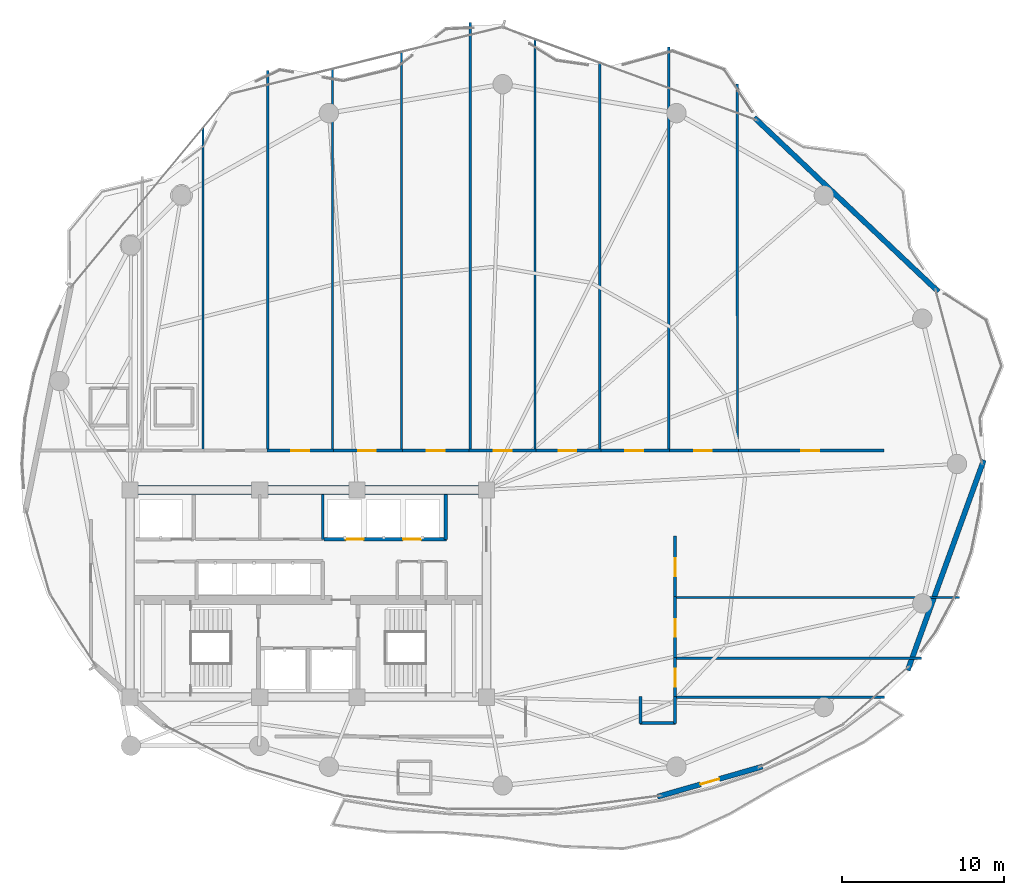
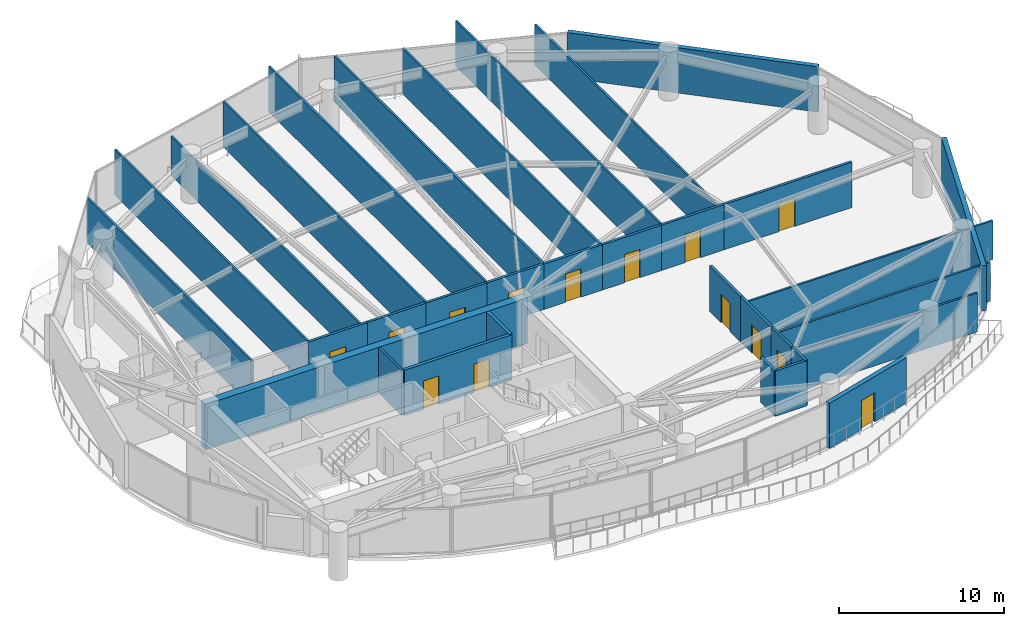
# One storey, part 24 of 28: 33 walls, 14 doors, 14 openings.
"""IFC4 building model written with IfcOpenShell, lengths in metres."""

from ifc_helpers import new_model, si_unit, direction, frame, frame_2d, origin, place, context, subcontext, project, spatial, rectangle, extrude, material, layer, layer_set, type_object, element, fill, save


model = new_model("IFC4")

# Units and contexts
model_context = context("Model", 3, precision=1e-05, world=origin(), true_north=direction((0.0, 1.0)))
body_context = subcontext(model_context, "Body", "Model", "MODEL_VIEW")
ifc_project = project(units=[si_unit("LENGTHUNIT", "METRE"), si_unit("AREAUNIT", "SQUARE_METRE"), si_unit("VOLUMEUNIT", "CUBIC_METRE"), si_unit("PLANEANGLEUNIT", "RADIAN"), si_unit("MASSUNIT", "GRAM", prefix="KILO")], contexts=[model_context])

# Site, building, storey
site_placement = place(None, origin())
site = spatial("IfcSite", under=ifc_project, at=site_placement, CompositionType="ELEMENT")
building_placement = place(site_placement, origin())
building = spatial("IfcBuilding", under=site, at=building_placement, Name="Kazevale Care Tower and Concert Hall", CompositionType="ELEMENT")
storey_placement = place(building_placement, frame((0.0, 0.0, 142.199951171875)))
storey = spatial("IfcBuildingStorey", under=building, at=storey_placement, Name="L37", CompositionType="ELEMENT", Elevation=142.199951171875)

# Walls
ifc_material_1 = material(Name="Acoustic Gypsum on Steel Stud", Category="steel")
ifc_layer_1 = layer(ifc_material_1, 0.139892578125)
ifc_layer_set_1 = layer_set([ifc_layer_1], Name="Acoustic Gypsum on Steel Stud")
wall_type_1 = type_object("IfcWallType", Name="Acoustic Care & Suite Partition 140", PredefinedType="PARTITIONING", material=ifc_layer_set_1)
wall_1_placement = place(storey_placement, frame((33.89990234375, 33.35009765625, 0.0), z_axis=(0.0, 0.0, 1.0), x_axis=(0.0, 1.0, 0.0)))
element("IfcWall", 1, at=wall_1_placement, inside=storey, type_object=wall_type_1, Name="wall:L37:c_rpl_e", PredefinedType="PARTITIONING", context=body_context, shape_type="SweptSolid", body=[
    extrude(rectangle(XDim=2.75, YDim=0.139892578125, at=frame_2d((1.375, 0.0))), origin(), (0.0, 0.0, 1.0), 3.360107421875),
])
wall_2_placement = place(storey_placement, frame((26.5, 58.74169921875, 0.0), z_axis=(0.0, 0.0, 1.0), x_axis=(0.0, -1.0, 0.0)))
element("IfcWall", 2, at=wall_2_placement, inside=storey, type_object=wall_type_1, Name="wall:L37:auto_022", PredefinedType="PARTITIONING", context=body_context, shape_type="SweptSolid", body=[
    extrude(rectangle(XDim=19.94677734375, YDim=0.139892578125, at=frame_2d((9.973388671875, 0.0))), origin(), (0.0, 0.0, 1.0), 3.360107421875),
])
wall_3_placement = place(storey_placement, frame((30.5, 62.300048828125, 0.0), z_axis=(0.0, 0.0, 1.0), x_axis=(0.0, -1.0, 0.0)))
element("IfcWall", 3, at=wall_3_placement, inside=storey, type_object=wall_type_1, Name="wall:L37:auto_023", PredefinedType="PARTITIONING", context=body_context, shape_type="SweptSolid", body=[
    extrude(rectangle(XDim=23.505126953125, YDim=0.139892578125, at=frame_2d((11.75244140625, 0.0))), origin(), (0.0, 0.0, 1.0), 3.360107421875),
])
wall_4_placement = place(storey_placement, frame((34.5, 62.38330078125, 0.0), z_axis=(0.0, 0.0, 1.0), x_axis=(0.0, -1.0, 0.0)))
element("IfcWall", 4, at=wall_4_placement, inside=storey, type_object=wall_type_1, Name="wall:L37:auto_024", PredefinedType="PARTITIONING", context=body_context, shape_type="SweptSolid", body=[
    extrude(rectangle(XDim=23.58837890625, YDim=0.139892578125, at=frame_2d((11.794189453125, 0.0))), origin(), (0.0, 0.0, 1.0), 2.89013671875),
])
wall_5_placement = place(storey_placement, frame((38.75, 63.429931640625, 0.0), z_axis=(0.0, 0.0, 1.0), x_axis=(0.0, -1.0, 0.0)))
element("IfcWall", 5, at=wall_5_placement, inside=storey, type_object=wall_type_1, Name="wall:L37:auto_025", PredefinedType="PARTITIONING", context=body_context, shape_type="SweptSolid", body=[
    extrude(rectangle(XDim=24.635009765625, YDim=0.139892578125, at=frame_2d((12.3173828125, 0.0))), origin(), (0.0, 0.0, 1.0), 3.360107421875),
])
wall_6_placement = place(storey_placement, frame((43.0, 65.25390625, 0.0), z_axis=(0.0, 0.0, 1.0), x_axis=(0.0, -1.0, 0.0)))
element("IfcWall", 6, at=wall_6_placement, inside=storey, type_object=wall_type_1, Name="wall:L37:auto_026", PredefinedType="PARTITIONING", context=body_context, shape_type="SweptSolid", body=[
    extrude(rectangle(XDim=26.458984375, YDim=0.139892578125, at=frame_2d((13.2294921875, 0.0))), origin(), (0.0, 0.0, 1.0), 3.360107421875),
])
wall_7_placement = place(storey_placement, frame((47.0, 64.208740234375, 0.0), z_axis=(0.0, 0.0, 1.0), x_axis=(0.0, -1.0, 0.0)))
element("IfcWall", 7, at=wall_7_placement, inside=storey, type_object=wall_type_1, Name="wall:L37:auto_027", PredefinedType="PARTITIONING", context=body_context, shape_type="SweptSolid", body=[
    extrude(rectangle(XDim=25.413818359375, YDim=0.139892578125, at=frame_2d((12.70703125, 0.0))), origin(), (0.0, 0.0, 1.0), 3.360107421875),
])
wall_8_placement = place(storey_placement, frame((51.0, 62.85693359375, 0.0), z_axis=(0.0, 0.0, 1.0), x_axis=(0.0, -1.0, 0.0)))
element("IfcWall", 8, at=wall_8_placement, inside=storey, type_object=wall_type_1, Name="wall:L37:auto_028", PredefinedType="PARTITIONING", context=body_context, shape_type="SweptSolid", body=[
    extrude(rectangle(XDim=24.06201171875, YDim=0.139892578125, at=frame_2d((12.031005859375, 0.0))), origin(), (0.0, 0.0, 1.0), 3.360107421875),
])
wall_9_placement = place(storey_placement, frame((55.25, 63.7548828125, 0.0), z_axis=(0.0, 0.0, 1.0), x_axis=(0.0, -1.0, 0.0)))
element("IfcWall", 9, at=wall_9_placement, inside=storey, type_object=wall_type_1, Name="wall:L37:auto_029", PredefinedType="PARTITIONING", context=body_context, shape_type="SweptSolid", body=[
    extrude(rectangle(XDim=24.9599609375, YDim=0.139892578125, at=frame_2d((12.47998046875, 0.0))), origin(), (0.0, 0.0, 1.0), 3.360107421875),
])
wall_10_placement = place(storey_placement, frame((59.47998046875, 61.45703125, 0.0), z_axis=(0.0, 0.0, 1.0), x_axis=(0.000883391881, -0.999999609809, 0.0)))
element("IfcWall", 10, at=wall_10_placement, inside=storey, type_object=wall_type_1, Name="wall:L37:auto_030", PredefinedType="PARTITIONING", context=body_context, shape_type="SweptSolid", body=[
    extrude(rectangle(XDim=22.662109375, YDim=0.139892578125, at=frame_2d((11.3310546875, 0.0))), origin(), (0.0, 0.0, 1.0), 2.99609375),
])
wall_11_placement = place(storey_placement, frame((55.6201171875, 23.590087890625, 0.0), z_axis=(0.0, 0.0, 1.0), x_axis=(1.0, 0.0, 0.0)))
element("IfcWall", 11, at=wall_11_placement, inside=storey, type_object=wall_type_1, Name="wall:L37:auto_031", PredefinedType="PARTITIONING", context=body_context, shape_type="SweptSolid", body=[
    extrude(rectangle(XDim=12.947998046875, YDim=0.139892578125, at=frame_2d((6.47412109375, 0.0))), origin(), (0.0, 0.0, 1.0), 2.89013671875),
])
wall_12_placement = place(storey_placement, frame((55.6201171875, 26.0, 0.0), z_axis=(0.0, 0.0, 1.0), x_axis=(1.0, 0.0, 0.0)))
element("IfcWall", 12, at=wall_12_placement, inside=storey, type_object=wall_type_1, Name="wall:L37:auto_032", PredefinedType="PARTITIONING", context=body_context, shape_type="SweptSolid", body=[
    extrude(rectangle(XDim=15.226806640625, YDim=0.139892578125, at=frame_2d((7.61328125, 0.0))), origin(), (0.0, 0.0, 1.0), 2.89013671875),
])
wall_13_placement = place(storey_placement, frame((55.6201171875, 29.75, 0.0), z_axis=(0.0, 0.0, 1.0), x_axis=(1.0, 0.0, 0.0)))
element("IfcWall", 13, at=wall_13_placement, inside=storey, type_object=wall_type_1, Name="wall:L37:auto_033", PredefinedType="PARTITIONING", context=body_context, shape_type="SweptSolid", body=[
    extrude(rectangle(XDim=17.5869140625, YDim=0.139892578125, at=frame_2d((8.79345703125, 0.0))), origin(), (0.0, 0.0, 1.0), 2.89013671875),
])
ifc_material_2 = material(Name="Concrete C60", Category="concrete")
ifc_layer_2 = layer(ifc_material_2, 0.550048828125)
ifc_layer_set_2 = layer_set([ifc_layer_2], Name="Concrete C60")
wall_type_2 = type_object("IfcWallType", Name="Core Shear Wall 550 C60", PredefinedType="SHEAR", material=ifc_layer_set_2)
wall_14_placement = place(storey_placement, frame((21.72509765625, 36.39990234375, 0.0), z_axis=(0.0, 0.0, 1.0), x_axis=(1.0, 0.0, 0.0)))
element("IfcWall", 14, at=wall_14_placement, inside=storey, type_object=wall_type_2, Name="wall:L37:core:N", PredefinedType="SHEAR", context=body_context, shape_type="SweptSolid", body=[
    extrude(rectangle(XDim=22.5498046875, YDim=0.550048828125, at=frame_2d((11.27490234375, 0.0))), origin(), (0.0, 0.0, 1.0), 3.360107421875),
])

# Wall, openings, doors
ifc_material_3 = material(Name="Concrete C40", Category="concrete")
ifc_layer_3 = layer(ifc_material_3, 0.219970703125)
ifc_layer_set_3 = layer_set([ifc_layer_3], Name="Concrete C40")
wall_type_3 = type_object("IfcWallType", Name="Elevator Hoistway Shaft Wall 220", PredefinedType="SOLIDWALL", material=ifc_layer_set_3)
wall_15_placement = place(storey_placement, frame((33.97998046875, 33.35009765625, 0.0), z_axis=(0.0, 0.0, 1.0), x_axis=(1.0, 0.0, 0.0)))
wall_15 = element("IfcWall", 15, at=wall_15_placement, inside=storey, type_object=wall_type_3, Name="wall:L37:c_pm_s", PredefinedType="SOLIDWALL", context=body_context, shape_type="SweptSolid", body=[
    extrude(rectangle(XDim=7.5400390625, YDim=0.219970703125, at=frame_2d((3.77001953125, 0.0))), origin(), (0.0, 0.0, 1.0), 3.360107421875),
])
opening_1_placement = place(wall_15_placement, frame((1.3349609375, 0.0, 0.0)))
opening_1 = element("IfcOpeningElement", 16, at=opening_1_placement, cuts=wall_15, Name="Opening LD-PAX", PredefinedType="OPENING", context=body_context, shape_type="SweptSolid", body=[
    extrude(rectangle(XDim=1.10009765625, YDim=2.10009765625, at=frame_2d((0.550048828125, 1.050048828125))), frame((0.0, 0.119873046875, 0.0), z_axis=(0.0, -1.0, 0.0), x_axis=(1.0, 0.0, 0.0)), (0.0, 0.0, 1.0), 0.239990234375),
])
opening_2_placement = place(wall_15_placement, frame((4.87890625, 0.0, 0.0)))
opening_2 = element("IfcOpeningElement", 17, at=opening_2_placement, cuts=wall_15, Name="Opening LD-PAX", PredefinedType="OPENING", context=body_context, shape_type="SweptSolid", body=[
    extrude(rectangle(XDim=1.10009765625, YDim=2.10009765625, at=frame_2d((0.550048828125, 1.050048828125))), frame((0.0, 0.119873046875, 0.0), z_axis=(0.0, -1.0, 0.0), x_axis=(1.0, 0.0, 0.0)), (0.0, 0.0, 1.0), 0.239990234375),
])
ifc_material_4 = material(Name="Stainless Steel 316", Category="steel")
door_type_1 = type_object("IfcDoorType", Name="Passenger Lift Sliding Landing Door 1100x2100", OperationType="NOTDEFINED", PredefinedType="DOOR", material=ifc_material_4)
door_1_placement = place(opening_1_placement, origin())
door_1 = element("IfcDoor", 18, at=door_1_placement, inside=storey, type_object=door_type_1, Name="door:L37:ld_pm1", OperationType="SLIDING_TO_LEFT", OverallHeight=2.10009765625, OverallWidth=1.10009765625, PredefinedType="DOOR", context=body_context, shape_type="SweptSolid", body=[
    extrude(rectangle(XDim=1.10009765625, YDim=2.10009765625, at=frame_2d((0.550048828125, 1.050048828125))), frame((0.0, 0.02490234375, 0.0), z_axis=(0.0, -1.0, 0.0), x_axis=(1.0, 0.0, 0.0)), (0.0, 0.0, 1.0), 0.050048828125),
])
fill(opening_1, door_1)
door_2_placement = place(opening_2_placement, origin())
door_2 = element("IfcDoor", 19, at=door_2_placement, inside=storey, type_object=door_type_1, Name="door:L37:ld_pm2", OperationType="SLIDING_TO_RIGHT", OverallHeight=2.10009765625, OverallWidth=1.10009765625, PredefinedType="DOOR", context=body_context, shape_type="SweptSolid", body=[
    extrude(rectangle(XDim=1.10009765625, YDim=2.10009765625, at=frame_2d((0.550048828125, 1.050048828125))), frame((0.0, 0.02490234375, 0.0), z_axis=(0.0, -1.0, 0.0), x_axis=(1.0, 0.0, 0.0)), (0.0, 0.0, 1.0), 0.050048828125),
])
fill(opening_2, door_2)

# Wall
wall_16_placement = place(storey_placement, frame((41.5, 33.35009765625, 0.0), z_axis=(0.0, 0.0, 1.0), x_axis=(0.0, 1.0, 0.0)))
element("IfcWall", 20, at=wall_16_placement, inside=storey, type_object=wall_type_3, Name="wall:L37:c_pm_e", PredefinedType="SOLIDWALL", context=body_context, shape_type="SweptSolid", body=[
    extrude(rectangle(XDim=2.75, YDim=0.219970703125, at=frame_2d((1.375, 0.0))), origin(), (0.0, 0.0, 1.0), 3.360107421875),
])

# Wall, opening, door
ifc_material_5 = material(Name="Concrete C40 and Acoustic Gypsum", Category="concrete")
ifc_layer_4 = layer(ifc_material_5, 0.179931640625)
ifc_layer_set_4 = layer_set([ifc_layer_4], Name="Concrete C40 and Acoustic Gypsum")
wall_type_4 = type_object("IfcWallType", Name="Fire-Rated Corridor & Party Wall 180", PredefinedType="PARTITIONING", material=ifc_layer_set_4)
wall_17_placement = place(storey_placement, frame((30.43505859375, 38.824951171875, 0.0), z_axis=(0.0, 0.0, 1.0), x_axis=(1.0, 0.0, 0.0)))
wall_17 = element("IfcWall", 21, at=wall_17_placement, inside=storey, type_object=wall_type_4, Name="wall:L37:auto_004", PredefinedType="PARTITIONING", context=body_context, shape_type="SweptSolid", body=[
    extrude(rectangle(XDim=4.1298828125, YDim=0.179931640625, at=frame_2d((2.06494140625, 0.0))), origin(), (0.0, 0.0, 1.0), 3.360107421875),
])
opening_3_placement = place(wall_17_placement, frame((1.514892578125, 0.0, 0.0)))
opening_3 = element("IfcOpeningElement", 22, at=opening_3_placement, cuts=wall_17, Name="Opening ID-1100", PredefinedType="OPENING", context=body_context, shape_type="SweptSolid", body=[
    extrude(rectangle(XDim=1.10009765625, YDim=2.10009765625, at=frame_2d((0.550048828125, 1.050048828125))), frame((0.0, 0.099853515625, 0.0), z_axis=(0.0, -1.0, 0.0), x_axis=(1.0, 0.0, 0.0)), (0.0, 0.0, 1.0), 0.199951171875),
])
ifc_material_6 = material(Name="Oak Timber Fire Leaf", Category="wood")
door_type_2 = type_object("IfcDoorType", Name="Care Bedroom Accessible Door 1100x2100", OperationType="NOTDEFINED", PredefinedType="DOOR", material=ifc_material_6)
door_3_placement = place(opening_3_placement, origin())
door_3 = element("IfcDoor", 23, at=door_3_placement, inside=storey, type_object=door_type_2, Name="door:L37:ad_004", OperationType="SINGLE_SWING_LEFT", OverallHeight=2.10009765625, OverallWidth=1.10009765625, PredefinedType="DOOR", context=body_context, shape_type="SweptSolid", body=[
    extrude(rectangle(XDim=1.10009765625, YDim=2.10009765625, at=frame_2d((0.550048828125, 1.050048828125))), frame((0.0, 0.02490234375, 0.0), z_axis=(0.0, -1.0, 0.0), x_axis=(1.0, 0.0, 0.0)), (0.0, 0.0, 1.0), 0.050048828125),
])
fill(opening_3, door_3)

wall_18_placement = place(storey_placement, frame((34.43505859375, 38.824951171875, 0.0), z_axis=(0.0, 0.0, 1.0), x_axis=(1.0, 0.0, 0.0)))
wall_18 = element("IfcWall", 24, at=wall_18_placement, inside=storey, type_object=wall_type_4, Name="wall:L37:auto_005", PredefinedType="PARTITIONING", context=body_context, shape_type="SweptSolid", body=[
    extrude(rectangle(XDim=4.3798828125, YDim=0.179931640625, at=frame_2d((2.18994140625, 0.0))), origin(), (0.0, 0.0, 1.0), 3.360107421875),
])
opening_4_placement = place(wall_18_placement, frame((1.639892578125, 0.0, 0.0)))
opening_4 = element("IfcOpeningElement", 25, at=opening_4_placement, cuts=wall_18, Name="Opening ID-1100", PredefinedType="OPENING", context=body_context, shape_type="SweptSolid", body=[
    extrude(rectangle(XDim=1.10009765625, YDim=2.10009765625, at=frame_2d((0.550048828125, 1.050048828125))), frame((0.0, 0.099853515625, 0.0), z_axis=(0.0, -1.0, 0.0), x_axis=(1.0, 0.0, 0.0)), (0.0, 0.0, 1.0), 0.199951171875),
])
door_4_placement = place(opening_4_placement, origin())
door_4 = element("IfcDoor", 26, at=door_4_placement, inside=storey, type_object=door_type_2, Name="door:L37:ad_005", OperationType="SINGLE_SWING_LEFT", OverallHeight=2.10009765625, OverallWidth=1.10009765625, PredefinedType="DOOR", context=body_context, shape_type="SweptSolid", body=[
    extrude(rectangle(XDim=1.10009765625, YDim=2.10009765625, at=frame_2d((0.550048828125, 1.050048828125))), frame((0.0, 0.02490234375, 0.0), z_axis=(0.0, -1.0, 0.0), x_axis=(1.0, 0.0, 0.0)), (0.0, 0.0, 1.0), 0.050048828125),
])
fill(opening_4, door_4)

wall_19_placement = place(storey_placement, frame((38.68505859375, 38.824951171875, 0.0), z_axis=(0.0, 0.0, 1.0), x_axis=(1.0, 0.0, 0.0)))
wall_19 = element("IfcWall", 27, at=wall_19_placement, inside=storey, type_object=wall_type_4, Name="wall:L37:auto_006", PredefinedType="PARTITIONING", context=body_context, shape_type="SweptSolid", body=[
    extrude(rectangle(XDim=4.3798828125, YDim=0.179931640625, at=frame_2d((2.18994140625, 0.0))), origin(), (0.0, 0.0, 1.0), 3.360107421875),
])
opening_5_placement = place(wall_19_placement, frame((1.639892578125, 0.0, 0.0)))
opening_5 = element("IfcOpeningElement", 28, at=opening_5_placement, cuts=wall_19, Name="Opening ID-1100", PredefinedType="OPENING", context=body_context, shape_type="SweptSolid", body=[
    extrude(rectangle(XDim=1.10009765625, YDim=2.10009765625, at=frame_2d((0.550048828125, 1.050048828125))), frame((0.0, 0.099853515625, 0.0), z_axis=(0.0, -1.0, 0.0), x_axis=(1.0, 0.0, 0.0)), (0.0, 0.0, 1.0), 0.199951171875),
])
door_5_placement = place(opening_5_placement, origin())
door_5 = element("IfcDoor", 29, at=door_5_placement, inside=storey, type_object=door_type_2, Name="door:L37:ad_006", OperationType="SINGLE_SWING_LEFT", OverallHeight=2.10009765625, OverallWidth=1.10009765625, PredefinedType="DOOR", context=body_context, shape_type="SweptSolid", body=[
    extrude(rectangle(XDim=1.10009765625, YDim=2.10009765625, at=frame_2d((0.550048828125, 1.050048828125))), frame((0.0, 0.02490234375, 0.0), z_axis=(0.0, -1.0, 0.0), x_axis=(1.0, 0.0, 0.0)), (0.0, 0.0, 1.0), 0.050048828125),
])
fill(opening_5, door_5)

wall_20_placement = place(storey_placement, frame((42.93505859375, 38.824951171875, 0.0), z_axis=(0.0, 0.0, 1.0), x_axis=(1.0, 0.0, 0.0)))
wall_20 = element("IfcWall", 30, at=wall_20_placement, inside=storey, type_object=wall_type_4, Name="wall:L37:auto_007", PredefinedType="PARTITIONING", context=body_context, shape_type="SweptSolid", body=[
    extrude(rectangle(XDim=4.1298828125, YDim=0.179931640625, at=frame_2d((2.06494140625, 0.0))), origin(), (0.0, 0.0, 1.0), 3.360107421875),
])
opening_6_placement = place(wall_20_placement, frame((1.514892578125, 0.0, 0.0)))
opening_6 = element("IfcOpeningElement", 31, at=opening_6_placement, cuts=wall_20, Name="Opening ID-1100", PredefinedType="OPENING", context=body_context, shape_type="SweptSolid", body=[
    extrude(rectangle(XDim=1.10009765625, YDim=2.10009765625, at=frame_2d((0.550048828125, 1.050048828125))), frame((0.0, 0.099853515625, 0.0), z_axis=(0.0, -1.0, 0.0), x_axis=(1.0, 0.0, 0.0)), (0.0, 0.0, 1.0), 0.199951171875),
])
door_6_placement = place(opening_6_placement, origin())
door_6 = element("IfcDoor", 32, at=door_6_placement, inside=storey, type_object=door_type_2, Name="door:L37:ad_007", OperationType="SINGLE_SWING_LEFT", OverallHeight=2.10009765625, OverallWidth=1.10009765625, PredefinedType="DOOR", context=body_context, shape_type="SweptSolid", body=[
    extrude(rectangle(XDim=1.10009765625, YDim=2.10009765625, at=frame_2d((0.550048828125, 1.050048828125))), frame((0.0, 0.02490234375, 0.0), z_axis=(0.0, -1.0, 0.0), x_axis=(1.0, 0.0, 0.0)), (0.0, 0.0, 1.0), 0.050048828125),
])
fill(opening_6, door_6)

wall_21_placement = place(storey_placement, frame((46.93505859375, 38.824951171875, 0.0), z_axis=(0.0, 0.0, 1.0), x_axis=(1.0, 0.0, 0.0)))
wall_21 = element("IfcWall", 33, at=wall_21_placement, inside=storey, type_object=wall_type_4, Name="wall:L37:auto_008", PredefinedType="PARTITIONING", context=body_context, shape_type="SweptSolid", body=[
    extrude(rectangle(XDim=4.1298828125, YDim=0.179931640625, at=frame_2d((2.06494140625, 0.0))), origin(), (0.0, 0.0, 1.0), 3.360107421875),
])
opening_7_placement = place(wall_21_placement, frame((1.514892578125, 0.0, 0.0)))
opening_7 = element("IfcOpeningElement", 34, at=opening_7_placement, cuts=wall_21, Name="Opening ID-1100", PredefinedType="OPENING", context=body_context, shape_type="SweptSolid", body=[
    extrude(rectangle(XDim=1.10009765625, YDim=2.10009765625, at=frame_2d((0.550048828125, 1.050048828125))), frame((0.0, 0.099853515625, 0.0), z_axis=(0.0, -1.0, 0.0), x_axis=(1.0, 0.0, 0.0)), (0.0, 0.0, 1.0), 0.199951171875),
])
door_7_placement = place(opening_7_placement, origin())
door_7 = element("IfcDoor", 35, at=door_7_placement, inside=storey, type_object=door_type_2, Name="door:L37:ad_008", OperationType="SINGLE_SWING_LEFT", OverallHeight=2.10009765625, OverallWidth=1.10009765625, PredefinedType="DOOR", context=body_context, shape_type="SweptSolid", body=[
    extrude(rectangle(XDim=1.10009765625, YDim=2.10009765625, at=frame_2d((0.550048828125, 1.050048828125))), frame((0.0, 0.02490234375, 0.0), z_axis=(0.0, -1.0, 0.0), x_axis=(1.0, 0.0, 0.0)), (0.0, 0.0, 1.0), 0.050048828125),
])
fill(opening_7, door_7)

wall_22_placement = place(storey_placement, frame((50.93505859375, 38.824951171875, 0.0), z_axis=(0.0, 0.0, 1.0), x_axis=(1.0, 0.0, 0.0)))
wall_22 = element("IfcWall", 36, at=wall_22_placement, inside=storey, type_object=wall_type_4, Name="wall:L37:auto_009", PredefinedType="PARTITIONING", context=body_context, shape_type="SweptSolid", body=[
    extrude(rectangle(XDim=4.3798828125, YDim=0.179931640625, at=frame_2d((2.18994140625, 0.0))), origin(), (0.0, 0.0, 1.0), 3.360107421875),
])
opening_8_placement = place(wall_22_placement, frame((1.639892578125, 0.0, 0.0)))
opening_8 = element("IfcOpeningElement", 37, at=opening_8_placement, cuts=wall_22, Name="Opening ID-1100", PredefinedType="OPENING", context=body_context, shape_type="SweptSolid", body=[
    extrude(rectangle(XDim=1.10009765625, YDim=2.10009765625, at=frame_2d((0.550048828125, 1.050048828125))), frame((0.0, 0.099853515625, 0.0), z_axis=(0.0, -1.0, 0.0), x_axis=(1.0, 0.0, 0.0)), (0.0, 0.0, 1.0), 0.199951171875),
])
door_8_placement = place(opening_8_placement, origin())
door_8 = element("IfcDoor", 38, at=door_8_placement, inside=storey, type_object=door_type_2, Name="door:L37:ad_009", OperationType="SINGLE_SWING_LEFT", OverallHeight=2.10009765625, OverallWidth=1.10009765625, PredefinedType="DOOR", context=body_context, shape_type="SweptSolid", body=[
    extrude(rectangle(XDim=1.10009765625, YDim=2.10009765625, at=frame_2d((0.550048828125, 1.050048828125))), frame((0.0, 0.02490234375, 0.0), z_axis=(0.0, -1.0, 0.0), x_axis=(1.0, 0.0, 0.0)), (0.0, 0.0, 1.0), 0.050048828125),
])
fill(opening_8, door_8)

wall_23_placement = place(storey_placement, frame((55.18505859375, 38.824951171875, 0.0), z_axis=(0.0, 0.0, 1.0), x_axis=(1.0, 0.0, 0.0)))
wall_23 = element("IfcWall", 39, at=wall_23_placement, inside=storey, type_object=wall_type_4, Name="wall:L37:auto_010", PredefinedType="PARTITIONING", context=body_context, shape_type="SweptSolid", body=[
    extrude(rectangle(XDim=4.3798828125, YDim=0.179931640625, at=frame_2d((2.18994140625, 0.0))), origin(), (0.0, 0.0, 1.0), 3.360107421875),
])
opening_9_placement = place(wall_23_placement, frame((1.639892578125, 0.0, 0.0)))
opening_9 = element("IfcOpeningElement", 40, at=opening_9_placement, cuts=wall_23, Name="Opening ID-1100", PredefinedType="OPENING", context=body_context, shape_type="SweptSolid", body=[
    extrude(rectangle(XDim=1.10009765625, YDim=2.10009765625, at=frame_2d((0.550048828125, 1.050048828125))), frame((0.0, 0.099853515625, 0.0), z_axis=(0.0, -1.0, 0.0), x_axis=(1.0, 0.0, 0.0)), (0.0, 0.0, 1.0), 0.199951171875),
])
door_9_placement = place(opening_9_placement, origin())
door_9 = element("IfcDoor", 41, at=door_9_placement, inside=storey, type_object=door_type_2, Name="door:L37:ad_010", OperationType="SINGLE_SWING_LEFT", OverallHeight=2.10009765625, OverallWidth=1.10009765625, PredefinedType="DOOR", context=body_context, shape_type="SweptSolid", body=[
    extrude(rectangle(XDim=1.10009765625, YDim=2.10009765625, at=frame_2d((0.550048828125, 1.050048828125))), frame((0.0, 0.02490234375, 0.0), z_axis=(0.0, -1.0, 0.0), x_axis=(1.0, 0.0, 0.0)), (0.0, 0.0, 1.0), 0.050048828125),
])
fill(opening_9, door_9)

wall_24_placement = place(storey_placement, frame((59.43505859375, 38.824951171875, 0.0), z_axis=(0.0, 0.0, 1.0), x_axis=(1.0, 0.0, 0.0)))
wall_24 = element("IfcWall", 42, at=wall_24_placement, inside=storey, type_object=wall_type_4, Name="wall:L37:auto_011", PredefinedType="PARTITIONING", context=body_context, shape_type="SweptSolid", body=[
    extrude(rectangle(XDim=9.094970703125, YDim=0.179931640625, at=frame_2d((4.54736328125, 0.0))), origin(), (0.0, 0.0, 1.0), 3.360107421875),
])
opening_10_placement = place(wall_24_placement, frame((3.998046875, 0.0, 0.0)))
opening_10 = element("IfcOpeningElement", 43, at=opening_10_placement, cuts=wall_24, Name="Opening ID-1100", PredefinedType="OPENING", context=body_context, shape_type="SweptSolid", body=[
    extrude(rectangle(XDim=1.10009765625, YDim=2.10009765625, at=frame_2d((0.550048828125, 1.050048828125))), frame((0.0, 0.099853515625, 0.0), z_axis=(0.0, -1.0, 0.0), x_axis=(1.0, 0.0, 0.0)), (0.0, 0.0, 1.0), 0.199951171875),
])
door_10_placement = place(opening_10_placement, origin())
door_10 = element("IfcDoor", 44, at=door_10_placement, inside=storey, type_object=door_type_2, Name="door:L37:ad_011", OperationType="SINGLE_SWING_LEFT", OverallHeight=2.10009765625, OverallWidth=1.10009765625, PredefinedType="DOOR", context=body_context, shape_type="SweptSolid", body=[
    extrude(rectangle(XDim=1.10009765625, YDim=2.10009765625, at=frame_2d((0.550048828125, 1.050048828125))), frame((0.0, 0.02490234375, 0.0), z_axis=(0.0, -1.0, 0.0), x_axis=(1.0, 0.0, 0.0)), (0.0, 0.0, 1.0), 0.050048828125),
])
fill(opening_10, door_10)

# Walls
wall_25_placement = place(storey_placement, frame((55.679931640625, 22.0, 0.0), z_axis=(0.0, 0.0, 1.0), x_axis=(-1.0, 0.0, 0.0)))
element("IfcWall", 45, at=wall_25_placement, inside=storey, type_object=wall_type_4, Name="wall:L37:auto_013", PredefinedType="PARTITIONING", context=body_context, shape_type="SweptSolid", body=[
    extrude(rectangle(XDim=2.2099609375, YDim=0.179931640625, at=frame_2d((1.10498046875, 0.0))), origin(), (0.0, 0.0, 1.0), 3.360107421875),
])
for number, where, z_axis, x_axis, name in (
    (46, (55.64990234375, 23.655029296875, 0.0), (0.0, 0.0, 1.0), (0.0, -1.0, 0.0), "wall:L37:auto_014"),
    (47, (53.5, 21.969970703125, 0.0), (0.0, 0.0, 1.0), (0.0, 1.0, 0.0), "wall:L37:auto_015"),
):
    element("IfcWall", number, at=place(storey_placement, frame(where, z_axis=z_axis, x_axis=x_axis)), inside=storey, type_object=wall_type_4, Name=name, PredefinedType="PARTITIONING", context=body_context, shape_type="SweptSolid", body=[
        extrude(rectangle(XDim=1.68505859375, YDim=0.179931640625, at=frame_2d((0.842529296875, 0.0))), origin(), (0.0, 0.0, 1.0), 3.360107421875),
    ])

# Wall, opening, door
wall_26_placement = place(storey_placement, frame((55.64990234375, 26.06494140625, 0.0), z_axis=(0.0, 0.0, 1.0), x_axis=(0.0, -1.0, 0.0)))
wall_26 = element("IfcWall", 48, at=wall_26_placement, inside=storey, type_object=wall_type_4, Name="wall:L37:auto_016", PredefinedType="PARTITIONING", context=body_context, shape_type="SweptSolid", body=[
    extrude(rectangle(XDim=2.5400390625, YDim=0.179931640625, at=frame_2d((1.27001953125, 0.0))), origin(), (0.0, 0.0, 1.0), 3.360107421875),
])
opening_11_placement = place(wall_26_placement, frame((0.719970703125, 0.0, 0.0)))
opening_11 = element("IfcOpeningElement", 49, at=opening_11_placement, cuts=wall_26, Name="Opening ID-1100", PredefinedType="OPENING", context=body_context, shape_type="SweptSolid", body=[
    extrude(rectangle(XDim=1.10009765625, YDim=2.10009765625, at=frame_2d((0.550048828125, 1.050048828125))), frame((0.0, 0.099853515625, 0.0), z_axis=(0.0, -1.0, 0.0), x_axis=(1.0, 0.0, 0.0)), (0.0, 0.0, 1.0), 0.199951171875),
])
door_11_placement = place(opening_11_placement, origin())
door_11 = element("IfcDoor", 50, at=door_11_placement, inside=storey, type_object=door_type_2, Name="door:L37:ad_016", OperationType="SINGLE_SWING_LEFT", OverallHeight=2.10009765625, OverallWidth=1.10009765625, PredefinedType="DOOR", context=body_context, shape_type="SweptSolid", body=[
    extrude(rectangle(XDim=1.10009765625, YDim=2.10009765625, at=frame_2d((0.550048828125, 1.050048828125))), frame((0.0, 0.02490234375, 0.0), z_axis=(0.0, -1.0, 0.0), x_axis=(1.0, 0.0, 0.0)), (0.0, 0.0, 1.0), 0.050048828125),
])
fill(opening_11, door_11)

wall_27_placement = place(storey_placement, frame((55.64990234375, 29.81494140625, 0.0), z_axis=(0.0, 0.0, 1.0), x_axis=(0.0, -1.0, 0.0)))
wall_27 = element("IfcWall", 51, at=wall_27_placement, inside=storey, type_object=wall_type_4, Name="wall:L37:auto_017", PredefinedType="PARTITIONING", context=body_context, shape_type="SweptSolid", body=[
    extrude(rectangle(XDim=3.8798828125, YDim=0.179931640625, at=frame_2d((1.93994140625, 0.0))), origin(), (0.0, 0.0, 1.0), 3.360107421875),
])
opening_12_placement = place(wall_27_placement, frame((1.389892578125, 0.0, 0.0)))
opening_12 = element("IfcOpeningElement", 52, at=opening_12_placement, cuts=wall_27, Name="Opening ID-1100", PredefinedType="OPENING", context=body_context, shape_type="SweptSolid", body=[
    extrude(rectangle(XDim=1.10009765625, YDim=2.10009765625, at=frame_2d((0.550048828125, 1.050048828125))), frame((0.0, 0.099853515625, 0.0), z_axis=(0.0, -1.0, 0.0), x_axis=(1.0, 0.0, 0.0)), (0.0, 0.0, 1.0), 0.199951171875),
])
door_12_placement = place(opening_12_placement, origin())
door_12 = element("IfcDoor", 53, at=door_12_placement, inside=storey, type_object=door_type_2, Name="door:L37:ad_017", OperationType="SINGLE_SWING_LEFT", OverallHeight=2.10009765625, OverallWidth=1.10009765625, PredefinedType="DOOR", context=body_context, shape_type="SweptSolid", body=[
    extrude(rectangle(XDim=1.10009765625, YDim=2.10009765625, at=frame_2d((0.550048828125, 1.050048828125))), frame((0.0, 0.02490234375, 0.0), z_axis=(0.0, -1.0, 0.0), x_axis=(1.0, 0.0, 0.0)), (0.0, 0.0, 1.0), 0.050048828125),
])
fill(opening_12, door_12)

wall_28_placement = place(storey_placement, frame((55.64990234375, 33.56494140625, 0.0), z_axis=(0.0, 0.0, 1.0), x_axis=(0.0, -1.0, 0.0)))
wall_28 = element("IfcWall", 54, at=wall_28_placement, inside=storey, type_object=wall_type_4, Name="wall:L37:auto_018", PredefinedType="PARTITIONING", context=body_context, shape_type="SweptSolid", body=[
    extrude(rectangle(XDim=3.8798828125, YDim=0.179931640625, at=frame_2d((1.93994140625, 0.0))), origin(), (0.0, 0.0, 1.0), 3.360107421875),
])
opening_13_placement = place(wall_28_placement, frame((1.389892578125, 0.0, 0.0)))
opening_13 = element("IfcOpeningElement", 55, at=opening_13_placement, cuts=wall_28, Name="Opening ID-1100", PredefinedType="OPENING", context=body_context, shape_type="SweptSolid", body=[
    extrude(rectangle(XDim=1.10009765625, YDim=2.10009765625, at=frame_2d((0.550048828125, 1.050048828125))), frame((0.0, 0.099853515625, 0.0), z_axis=(0.0, -1.0, 0.0), x_axis=(1.0, 0.0, 0.0)), (0.0, 0.0, 1.0), 0.199951171875),
])
door_13_placement = place(opening_13_placement, origin())
door_13 = element("IfcDoor", 56, at=door_13_placement, inside=storey, type_object=door_type_2, Name="door:L37:ad_018", OperationType="SINGLE_SWING_LEFT", OverallHeight=2.10009765625, OverallWidth=1.10009765625, PredefinedType="DOOR", context=body_context, shape_type="SweptSolid", body=[
    extrude(rectangle(XDim=1.10009765625, YDim=2.10009765625, at=frame_2d((0.550048828125, 1.050048828125))), frame((0.0, 0.02490234375, 0.0), z_axis=(0.0, -1.0, 0.0), x_axis=(1.0, 0.0, 0.0)), (0.0, 0.0, 1.0), 0.050048828125),
])
fill(opening_13, door_13)

# Wall
ifc_material_7 = material(Name="Concrete C40 with Honed Limestone Cladding", Category="masonry")
ifc_layer_5 = layer(ifc_material_7, 0.320068359375)
ifc_layer_set_5 = layer_set([ifc_layer_5], Name="Concrete C40 with Honed Limestone Cladding")
wall_type_5 = type_object("IfcWallType", Name="Tower Honed Limestone Spandrel Wall 320", PredefinedType="STANDARD", material=ifc_layer_set_5)
wall_29_placement = place(storey_placement, frame((74.7080078125, 38.243896484375, 0.0), z_axis=(0.0, 0.0, 1.0), x_axis=(-0.340324669139, -0.94030799187, 0.0)))
element("IfcWall", 57, at=wall_29_placement, inside=storey, type_object=wall_type_5, Name="wall:cw:L37:f01", PredefinedType="STANDARD", context=body_context, shape_type="SweptSolid", body=[
    extrude(rectangle(XDim=13.810302734375, YDim=0.320068359375, at=frame_2d((6.9052734375, 0.0))), origin(), (0.0, 0.0, 1.0), 3.360107421875),
])

# Wall, opening, door
wall_30_placement = place(storey_placement, frame((61.0390625, 19.31689453125, 0.0), z_axis=(0.0, 0.0, 1.0), x_axis=(-0.96106509915, -0.276322049784, 0.0)))
wall_30 = element("IfcWall", 58, at=wall_30_placement, inside=storey, type_object=wall_type_5, Name="wall:L37:bal_host", PredefinedType="STANDARD", context=body_context, shape_type="SweptSolid", body=[
    extrude(rectangle(XDim=6.745849609375, YDim=0.320068359375, at=frame_2d((3.373046875, 0.0))), origin(), (0.0, 0.0, 1.0), 3.360107421875),
])
opening_14_placement = place(wall_30_placement, frame((2.77294921875, 0.0, 0.0)))
opening_14 = element("IfcOpeningElement", 59, at=opening_14_placement, cuts=wall_30, Name="Opening BD-1200", PredefinedType="OPENING", context=body_context, shape_type="SweptSolid", body=[
    extrude(rectangle(XDim=1.199951171875, YDim=2.14990234375, at=frame_2d((0.60009765625, 1.074951171875))), frame((0.0, 0.169921875, 0.0), z_axis=(0.0, -1.0, 0.0), x_axis=(1.0, 0.0, 0.0)), (0.0, 0.0, 1.0), 0.340087890625),
])
ifc_material_8 = material(Name="Aluminium 6063-T6 and Low-E Glass", Category="aluminium")
door_type_3 = type_object("IfcDoorType", Name="Sheltered Balcony Glazed Door 1200x2150", OperationType="NOTDEFINED", PredefinedType="DOOR", material=ifc_material_8)
door_14_placement = place(opening_14_placement, origin())
door_14 = element("IfcDoor", 60, at=door_14_placement, inside=storey, type_object=door_type_3, Name="door:L37:BD-1", OperationType="SINGLE_SWING_LEFT", OverallHeight=2.14990234375, OverallWidth=1.199951171875, PredefinedType="DOOR", context=body_context, shape_type="SweptSolid", body=[
    extrude(rectangle(XDim=1.199951171875, YDim=2.14990234375, at=frame_2d((0.60009765625, 1.074951171875))), frame((0.0, 0.02490234375, 0.0), z_axis=(0.0, -1.0, 0.0), x_axis=(1.0, 0.0, 0.0)), (0.0, 0.0, 1.0), 0.050048828125),
])
fill(opening_14, door_14)

# Wall
wall_31_placement = place(storey_placement, frame((60.5380859375, 59.383056640625, 0.0), z_axis=(0.0, 0.0, 1.0), x_axis=(0.726378346584, -0.687295058628, 0.0)))
element("IfcWall", 61, at=wall_31_placement, inside=storey, type_object=wall_type_5, Name="wall:cw:L37:f17", PredefinedType="STANDARD", context=body_context, shape_type="SweptSolid", body=[
    extrude(rectangle(XDim=15.654052734375, YDim=0.320068359375, at=frame_2d((7.8271484375, 0.0))), origin(), (0.0, 0.0, 1.0), 3.360107421875),
])

save(model, "model.ifc")
